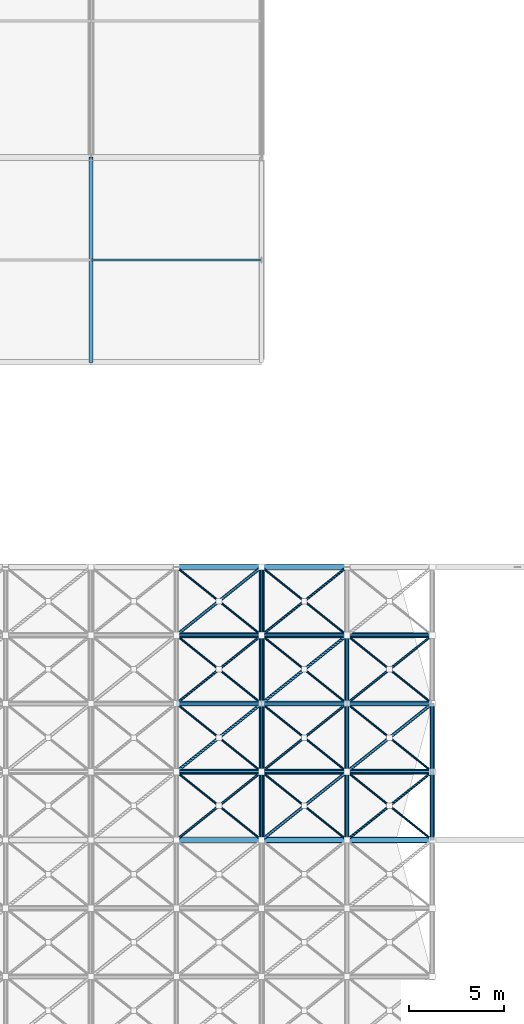
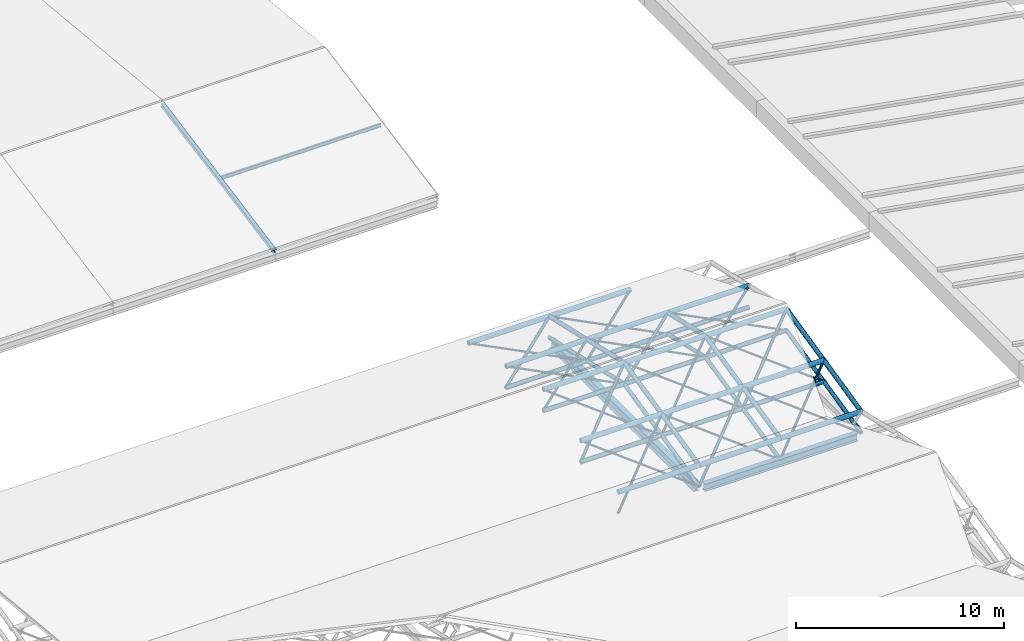
# One storey, part 29 of 110: 76 members, 2 beams.
"""IFC4 building model written with IfcOpenShell, lengths in metres."""

from ifc_helpers import new_model, si_unit, direction, frame, origin, origin_2d, place, context, subcontext, project, spatial, hollow_circle, i_section, extrude, material, material_profile, profile_set, type_object, element, save


model = new_model("IFC4")

# Units and contexts
model_context = context("Model", 3, precision=1e-05, world=origin(), true_north=direction((0.0, 1.0)))
body_context = subcontext(model_context, "Body", "Model", "MODEL_VIEW")
ifc_project = project(units=[si_unit("LENGTHUNIT", "METRE"), si_unit("AREAUNIT", "SQUARE_METRE"), si_unit("VOLUMEUNIT", "CUBIC_METRE"), si_unit("PLANEANGLEUNIT", "RADIAN"), si_unit("MASSUNIT", "GRAM", prefix="KILO")], contexts=[model_context])

# Site, building, storey
site_placement = place(None, origin())
site = spatial("IfcSite", under=ifc_project, at=site_placement, CompositionType="ELEMENT")
building_placement = place(site_placement, origin())
building = spatial("IfcBuilding", under=site, at=building_placement, Name="Tamarisk Ironworks Central Station", CompositionType="ELEMENT")
storey_placement = place(building_placement, frame((0.0, 0.0, 17.39990234375)))
storey = spatial("IfcBuildingStorey", under=building, at=storey_placement, Name="L03", CompositionType="ELEMENT", Elevation=17.39990234375)

# Beams
ifc_material_1 = material(Name="Structural steel S355J2", Category="steel")
ifc_material_profile_1 = material_profile(ifc_material_1, i_section(OverallWidth=0.300048828125, OverallDepth=0.5400390625, WebThickness=0.012451171875, FlangeThickness=0.02392578125, at=origin_2d()), Name="HEA 550")
ifc_profile_set_1 = profile_set([ifc_material_profile_1], Name="Structural steel S355J2")
beam_type_1 = type_object("IfcBeamType", Name="BM-G04", PredefinedType="BEAM", material=ifc_profile_set_1)
beam_1_placement = place(storey_placement, frame((36.0, 65.0419921875, -1.869873046875), z_axis=(0.0, 1.0, 0.0), x_axis=(-1.0, 0.0, 0.0)))
element("IfcBeam", 1, at=beam_1_placement, inside=storey, type_object=beam_type_1, Name="L03 primary girder Y-0601", PredefinedType="BEAM", context=body_context, shape_type="SweptSolid", body=[
    extrude(i_section(OverallWidth=0.300048828125, OverallDepth=0.5400390625, WebThickness=0.012451171875, FlangeThickness=0.02392578125, at=origin_2d()), origin(), (0.0, 0.0, 1.0), 13.916015625),
])
ifc_material_profile_2 = material_profile(ifc_material_1, i_section(OverallWidth=0.300048828125, OverallDepth=0.43994140625, WebThickness=0.011474609375, FlangeThickness=0.02099609375, at=origin_2d()), Name="HEA 450")
ifc_profile_set_2 = profile_set([ifc_material_profile_2], Name="Structural steel S355J2")
beam_type_2 = type_object("IfcBeamType", Name="BM-G06", PredefinedType="BEAM", material=ifc_profile_set_2)
beam_2_placement = place(storey_placement, frame((36.241943359375, 64.800048828125, -1.81982421875), z_axis=(1.0, 0.0, 0.0), x_axis=(0.0, 1.0, 0.0)))
element("IfcBeam", 2, at=beam_2_placement, inside=storey, type_object=beam_type_2, Name="L03 primary girder X-0571", PredefinedType="BEAM", context=body_context, shape_type="SweptSolid", body=[
    extrude(i_section(OverallWidth=0.300048828125, OverallDepth=0.43994140625, WebThickness=0.011474609375, FlangeThickness=0.02099609375, at=origin_2d()), origin(), (0.0, 0.0, 1.0), 8.52001953125),
])

# Members
ifc_material_profile_3 = material_profile(ifc_material_1, i_section(OverallWidth=0.10009765625, OverallDepth=0.199951171875, WebThickness=0.005615234375, FlangeThickness=0.008544921875, at=origin_2d()), Name="IPE 200")
ifc_profile_set_3 = profile_set([ifc_material_profile_3], Name="Structural steel S355J2")
member_type_1 = type_object("IfcMemberType", Name="MB-PR03", PredefinedType="PURLIN", material=ifc_profile_set_3)
member_1_placement = place(storey_placement, frame((27.0, 95.39990234375, 0.945068359375), z_axis=(1.0, 0.0, 0.0), x_axis=(0.0, 1.0, 0.0)))
element("IfcMember", 3, at=member_1_placement, inside=storey, type_object=member_type_1, Name="Pavilion roof purlin 29", PredefinedType="PURLIN", context=body_context, shape_type="SweptSolid", body=[
    extrude(i_section(OverallWidth=0.10009765625, OverallDepth=0.199951171875, WebThickness=0.005615234375, FlangeThickness=0.008544921875, at=origin_2d()), origin(), (0.0, 0.0, 1.0), 9.0),
])
ifc_material_profile_4 = material_profile(ifc_material_1, i_section(OverallWidth=0.199951171875, OverallDepth=0.199951171875, WebThickness=0.009033203125, FlangeThickness=0.014892578125, at=origin_2d()), Name="HEB 200")
ifc_profile_set_4 = profile_set([ifc_material_profile_4], Name="Structural steel S355J2")
member_type_2 = type_object("IfcMemberType", Name="MB-RF02", PredefinedType="RAFTER", material=ifc_profile_set_4)
member_2_placement = place(storey_placement, frame((27.0, 90.0, -0.059814453125), z_axis=(0.0, 0.981957490531, 0.189101789494), x_axis=(-1.0, 0.0, 0.0)))
element("IfcMember", 4, at=member_2_placement, inside=storey, type_object=member_type_2, Name="Pavilion pitched roof steel rafter 10", PredefinedType="RAFTER", context=body_context, shape_type="SweptSolid", body=[
    extrude(i_section(OverallWidth=0.199951171875, OverallDepth=0.199951171875, WebThickness=0.009033203125, FlangeThickness=0.014892578125, at=origin_2d()), origin(), (0.0, 0.0, 1.0), 10.99853515625),
])
ifc_material_2 = material(Name="Structural steel S355J2H", Category="steel")
ifc_material_profile_5 = material_profile(ifc_material_2, hollow_circle(Radius=0.136474609375, WallThickness=0.012451171875, at=origin_2d()), Name="CHS 273x12.5")
ifc_profile_set_5 = profile_set([ifc_material_profile_5], Name="Structural steel S355J2H")
member_type_3 = type_object("IfcMemberType", Name="MB-SFC01", PredefinedType="CHORD", material=ifc_profile_set_5)
for number, where, z_axis, x_axis, name in (
    (5, (31.5, 64.800048828125, -0.469970703125), (1.0, 0.0, 0.0), (0.0, 1.0, 0.0), "Train shed space-frame top chord 0598"),
    (6, (36.0, 64.800048828125, -0.469970703125), (1.0, 0.0, 0.0), (0.0, 1.0, 0.0), "Train shed space-frame top chord 0599"),
    (7, (40.5, 64.800048828125, -0.469970703125), (1.0, 0.0, 0.0), (0.0, 1.0, 0.0), "Train shed space-frame top chord 0600"),
    (8, (31.5, 68.39990234375, 0.35498046875), (1.0, 0.0, 0.0), (0.0, 1.0, 0.0), "Train shed space-frame top chord 0806"),
    (9, (36.0, 68.39990234375, 0.35498046875), (1.0, 0.0, 0.0), (0.0, 1.0, 0.0), "Train shed space-frame top chord 0807"),
    (10, (40.5, 68.39990234375, 0.35498046875), (1.0, 0.0, 0.0), (0.0, 1.0, 0.0), "Train shed space-frame top chord 0808"),
    (11, (31.5, 72.0, 1.18017578125), (1.0, 0.0, 0.0), (0.0, 1.0, 0.0), "Train shed space-frame top chord 0816"),
    (12, (36.0, 72.0, 1.18017578125), (1.0, 0.0, 0.0), (0.0, 1.0, 0.0), "Train shed space-frame top chord 0817"),
    (13, (40.5, 72.0, 1.18017578125), (1.0, 0.0, 0.0), (0.0, 1.0, 0.0), "Train shed space-frame top chord 0818"),
    (14, (31.5, 75.60009765625, 0.35498046875), (1.0, 0.0, 0.0), (0.0, 1.0, 0.0), "Train shed space-frame top chord 0826"),
    (15, (36.0, 75.60009765625, 0.35498046875), (1.0, 0.0, 0.0), (0.0, 1.0, 0.0), "Train shed space-frame top chord 0827"),
    (16, (40.5, 75.60009765625, 0.35498046875), (1.0, 0.0, 0.0), (0.0, 1.0, 0.0), "Train shed space-frame top chord 0828"),
    (17, (31.5, 79.199951171875, -0.469970703125), (1.0, 0.0, 0.0), (0.0, 1.0, 0.0), "Train shed space-frame top chord 0836"),
    (18, (36.0, 79.199951171875, -0.469970703125), (1.0, 0.0, 0.0), (0.0, 1.0, 0.0), "Train shed space-frame top chord 0837"),
):
    element("IfcMember", number, at=place(storey_placement, frame(where, z_axis=z_axis, x_axis=x_axis)), inside=storey, type_object=member_type_3, Name=name, PredefinedType="CHORD", context=body_context, shape_type="SweptSolid", body=[
        extrude(hollow_circle(Radius=0.136474609375, WallThickness=0.012451171875, at=origin_2d()), origin(), (0.0, 0.0, 1.0), 4.5),
    ])
ifc_material_profile_6 = material_profile(ifc_material_2, hollow_circle(Radius=0.122314453125, WallThickness=0.012451171875, at=origin_2d()), Name="CHS 244.5x12.5")
ifc_profile_set_6 = profile_set([ifc_material_profile_6], Name="Structural steel S355J2H")
member_type_4 = type_object("IfcMemberType", Name="MB-SFC02", PredefinedType="CHORD", material=ifc_profile_set_6)
for number, where, z_axis, x_axis, name in (
    (19, (31.5, 68.39990234375, -0.89501953125), (1.0, 0.0, 0.0), (0.0, 1.0, 0.0), "Train shed space-frame bottom chord 0732"),
    (20, (36.0, 68.39990234375, -0.89501953125), (1.0, 0.0, 0.0), (0.0, 1.0, 0.0), "Train shed space-frame bottom chord 0733"),
    (21, (40.5, 68.39990234375, -0.89501953125), (1.0, 0.0, 0.0), (0.0, 1.0, 0.0), "Train shed space-frame bottom chord 0734"),
    (22, (31.5, 72.0, -0.06982421875), (1.0, 0.0, 0.0), (0.0, 1.0, 0.0), "Train shed space-frame bottom chord 0742"),
    (23, (36.0, 72.0, -0.06982421875), (1.0, 0.0, 0.0), (0.0, 1.0, 0.0), "Train shed space-frame bottom chord 0743"),
    (24, (40.5, 72.0, -0.06982421875), (1.0, 0.0, 0.0), (0.0, 1.0, 0.0), "Train shed space-frame bottom chord 0744"),
    (25, (31.5, 75.60009765625, -0.89501953125), (1.0, 0.0, 0.0), (0.0, 1.0, 0.0), "Train shed space-frame bottom chord 0752"),
    (26, (36.0, 75.60009765625, -0.89501953125), (1.0, 0.0, 0.0), (0.0, 1.0, 0.0), "Train shed space-frame bottom chord 0753"),
    (27, (40.5, 75.60009765625, -0.89501953125), (1.0, 0.0, 0.0), (0.0, 1.0, 0.0), "Train shed space-frame bottom chord 0754"),
):
    element("IfcMember", number, at=place(storey_placement, frame(where, z_axis=z_axis, x_axis=x_axis)), inside=storey, type_object=member_type_4, Name=name, PredefinedType="CHORD", context=body_context, shape_type="SweptSolid", body=[
        extrude(hollow_circle(Radius=0.122314453125, WallThickness=0.012451171875, at=origin_2d()), origin(), (0.0, 0.0, 1.0), 4.5),
    ])
member_3_placement = place(storey_placement, frame((36.0, 64.800048828125, -0.469970703125), z_axis=(0.0, 0.974733218107, 0.223372230857), x_axis=(-1.0, 0.0, 0.0)))
element("IfcMember", 28, at=member_3_placement, inside=storey, type_object=member_type_4, Name="Train shed space-frame top transverse chord 0871", PredefinedType="CHORD", context=body_context, shape_type="SweptSolid", body=[
    extrude(hollow_circle(Radius=0.122314453125, WallThickness=0.012451171875, at=origin_2d()), origin(), (0.0, 0.0, 1.0), 3.693115234375),
])
for number, where, z_axis, x_axis, name in (
    (29, (36.0, 68.39990234375, 0.35498046875), (0.0, 0.974722123001, 0.223420641241), (-1.0, 0.0, 0.0), "Train shed space-frame top transverse chord 0872"),
    (30, (36.0, 72.0, 1.18017578125), (0.0, 0.974722123001, -0.223420641241), (-1.0, 0.0, 0.0), "Train shed space-frame top transverse chord 0873"),
):
    element("IfcMember", number, at=place(storey_placement, frame(where, z_axis=z_axis, x_axis=x_axis)), inside=storey, type_object=member_type_4, Name=name, PredefinedType="CHORD", context=body_context, shape_type="SweptSolid", body=[
        extrude(hollow_circle(Radius=0.122314453125, WallThickness=0.012451171875, at=origin_2d()), origin(), (0.0, 0.0, 1.0), 3.693359375),
    ])
for number, where, z_axis, x_axis, name in (
    (31, (36.0, 75.60009765625, 0.35498046875), (0.0, 0.974733218107, -0.223372230857), (-1.0, 0.0, 0.0), "Train shed space-frame top transverse chord 0874"),
    (32, (40.5, 64.800048828125, -0.469970703125), (0.0, 0.974733218107, 0.223372230857), (-1.0, 0.0, 0.0), "Train shed space-frame top transverse chord 0875"),
):
    element("IfcMember", number, at=place(storey_placement, frame(where, z_axis=z_axis, x_axis=x_axis)), inside=storey, type_object=member_type_4, Name=name, PredefinedType="CHORD", context=body_context, shape_type="SweptSolid", body=[
        extrude(hollow_circle(Radius=0.122314453125, WallThickness=0.012451171875, at=origin_2d()), origin(), (0.0, 0.0, 1.0), 3.693115234375),
    ])
for number, where, z_axis, x_axis, name in (
    (33, (40.5, 68.39990234375, 0.35498046875), (0.0, 0.974722123001, 0.223420641241), (-1.0, 0.0, 0.0), "Train shed space-frame top transverse chord 0876"),
    (34, (40.5, 72.0, 1.18017578125), (0.0, 0.974722123001, -0.223420641241), (-1.0, 0.0, 0.0), "Train shed space-frame top transverse chord 0877"),
):
    element("IfcMember", number, at=place(storey_placement, frame(where, z_axis=z_axis, x_axis=x_axis)), inside=storey, type_object=member_type_4, Name=name, PredefinedType="CHORD", context=body_context, shape_type="SweptSolid", body=[
        extrude(hollow_circle(Radius=0.122314453125, WallThickness=0.012451171875, at=origin_2d()), origin(), (0.0, 0.0, 1.0), 3.693359375),
    ])
member_4_placement = place(storey_placement, frame((45.0, 64.800048828125, -0.469970703125), z_axis=(0.0, 0.974733218107, 0.223372230857), x_axis=(-1.0, 0.0, 0.0)))
element("IfcMember", 35, at=member_4_placement, inside=storey, type_object=member_type_4, Name="Train shed space-frame top transverse chord 0879", PredefinedType="CHORD", context=body_context, shape_type="SweptSolid", body=[
    extrude(hollow_circle(Radius=0.122314453125, WallThickness=0.012451171875, at=origin_2d()), origin(), (0.0, 0.0, 1.0), 3.693115234375),
])
member_5_placement = place(storey_placement, frame((45.0, 68.39990234375, 0.35498046875), z_axis=(0.0, 0.974722123001, 0.223420641241), x_axis=(-1.0, 0.0, 0.0)))
element("IfcMember", 36, at=member_5_placement, inside=storey, type_object=member_type_4, Name="Train shed space-frame top transverse chord 0880", PredefinedType="CHORD", context=body_context, shape_type="SweptSolid", body=[
    extrude(hollow_circle(Radius=0.122314453125, WallThickness=0.012451171875, at=origin_2d()), origin(), (0.0, 0.0, 1.0), 3.693359375),
])
ifc_material_profile_7 = material_profile(ifc_material_2, hollow_circle(Radius=0.109619140625, WallThickness=0.010009765625, at=origin_2d()), Name="CHS 219.1x10")
ifc_profile_set_7 = profile_set([ifc_material_profile_7], Name="Structural steel S355J2H")
member_type_5 = type_object("IfcMemberType", Name="MB-SFC03", PredefinedType="CHORD", material=ifc_profile_set_7)
member_6_placement = place(storey_placement, frame((36.0, 64.800048828125, -1.719970703125), z_axis=(0.0, 0.974733218107, 0.223372230857), x_axis=(-1.0, 0.0, 0.0)))
element("IfcMember", 37, at=member_6_placement, inside=storey, type_object=member_type_5, Name="Train shed space-frame transverse chord 0787", PredefinedType="CHORD", context=body_context, shape_type="SweptSolid", body=[
    extrude(hollow_circle(Radius=0.109619140625, WallThickness=0.010009765625, at=origin_2d()), origin(), (0.0, 0.0, 1.0), 3.693115234375),
])
for number, where, z_axis, x_axis, name in (
    (38, (36.0, 68.39990234375, -0.89501953125), (0.0, 0.974722123001, 0.223420641241), (-1.0, 0.0, 0.0), "Train shed space-frame transverse chord 0788"),
    (39, (36.0, 72.0, -0.06982421875), (0.0, 0.974722123001, -0.223420641241), (-1.0, 0.0, 0.0), "Train shed space-frame transverse chord 0789"),
):
    element("IfcMember", number, at=place(storey_placement, frame(where, z_axis=z_axis, x_axis=x_axis)), inside=storey, type_object=member_type_5, Name=name, PredefinedType="CHORD", context=body_context, shape_type="SweptSolid", body=[
        extrude(hollow_circle(Radius=0.109619140625, WallThickness=0.010009765625, at=origin_2d()), origin(), (0.0, 0.0, 1.0), 3.693359375),
    ])
for number, where, z_axis, x_axis, name in (
    (40, (36.0, 75.60009765625, -0.89501953125), (0.0, 0.974733218107, -0.223372230857), (-1.0, 0.0, 0.0), "Train shed space-frame transverse chord 0790"),
    (41, (40.5, 64.800048828125, -1.719970703125), (0.0, 0.974733218107, 0.223372230857), (-1.0, 0.0, 0.0), "Train shed space-frame transverse chord 0791"),
):
    element("IfcMember", number, at=place(storey_placement, frame(where, z_axis=z_axis, x_axis=x_axis)), inside=storey, type_object=member_type_5, Name=name, PredefinedType="CHORD", context=body_context, shape_type="SweptSolid", body=[
        extrude(hollow_circle(Radius=0.109619140625, WallThickness=0.010009765625, at=origin_2d()), origin(), (0.0, 0.0, 1.0), 3.693115234375),
    ])
for number, where, z_axis, x_axis, name in (
    (42, (40.5, 68.39990234375, -0.89501953125), (0.0, 0.974722123001, 0.223420641241), (-1.0, 0.0, 0.0), "Train shed space-frame transverse chord 0792"),
    (43, (40.5, 72.0, -0.06982421875), (0.0, 0.974722123001, -0.223420641241), (-1.0, 0.0, 0.0), "Train shed space-frame transverse chord 0793"),
):
    element("IfcMember", number, at=place(storey_placement, frame(where, z_axis=z_axis, x_axis=x_axis)), inside=storey, type_object=member_type_5, Name=name, PredefinedType="CHORD", context=body_context, shape_type="SweptSolid", body=[
        extrude(hollow_circle(Radius=0.109619140625, WallThickness=0.010009765625, at=origin_2d()), origin(), (0.0, 0.0, 1.0), 3.693359375),
    ])
member_7_placement = place(storey_placement, frame((45.0, 64.800048828125, -1.719970703125), z_axis=(0.0, 0.974733218107, 0.223372230857), x_axis=(-1.0, 0.0, 0.0)))
element("IfcMember", 44, at=member_7_placement, inside=storey, type_object=member_type_5, Name="Train shed space-frame transverse chord 0795", PredefinedType="CHORD", context=body_context, shape_type="SweptSolid", body=[
    extrude(hollow_circle(Radius=0.109619140625, WallThickness=0.010009765625, at=origin_2d()), origin(), (0.0, 0.0, 1.0), 3.693115234375),
])
member_8_placement = place(storey_placement, frame((45.0, 68.39990234375, -0.89501953125), z_axis=(0.0, 0.974722123001, 0.223420641241), x_axis=(-1.0, 0.0, 0.0)))
element("IfcMember", 45, at=member_8_placement, inside=storey, type_object=member_type_5, Name="Train shed space-frame transverse chord 0796", PredefinedType="CHORD", context=body_context, shape_type="SweptSolid", body=[
    extrude(hollow_circle(Radius=0.109619140625, WallThickness=0.010009765625, at=origin_2d()), origin(), (0.0, 0.0, 1.0), 3.693359375),
])
ifc_material_profile_8 = material_profile(ifc_material_2, hollow_circle(Radius=0.084228515625, WallThickness=0.010009765625, at=origin_2d()), Name="CHS 168.3x10")
ifc_profile_set_8 = profile_set([ifc_material_profile_8], Name="Structural steel S355J2H")
member_type_6 = type_object("IfcMemberType", Name="MB-SFD01", PredefinedType="BRACE", material=ifc_profile_set_8)
member_9_placement = place(storey_placement, frame((31.5, 68.39990234375, -0.89501953125), z_axis=(0.734679055902, 0.587759188278, 0.338800562889), x_axis=(-0.624705380279, 0.780860543151, 0.0)))
element("IfcMember", 46, at=member_9_placement, inside=storey, type_object=member_type_6, Name="Train shed space-frame diagonal 0941", PredefinedType="BRACE", context=body_context, shape_type="SweptSolid", body=[
    extrude(hollow_circle(Radius=0.084228515625, WallThickness=0.010009765625, at=origin_2d()), origin(), (0.0, 0.0, 1.0), 6.125244140625),
])
member_10_placement = place(storey_placement, frame((31.5, 75.60009765625, -0.89501953125), z_axis=(0.778765724077, 0.622987228815, 0.073558546312), x_axis=(-0.624679547852, 0.780881208953, 0.0)))
element("IfcMember", 47, at=member_10_placement, inside=storey, type_object=member_type_6, Name="Train shed space-frame diagonal 0945", PredefinedType="BRACE", context=body_context, shape_type="SweptSolid", body=[
    extrude(hollow_circle(Radius=0.084228515625, WallThickness=0.010009765625, at=origin_2d()), origin(), (0.0, 0.0, 1.0), 5.7783203125),
])
member_11_placement = place(storey_placement, frame((36.0, 64.800048828125, -1.719970703125), z_axis=(0.734706189143, 0.587741035097, 0.338773215143), x_axis=(-0.624679547852, 0.780881208953, 0.0)))
element("IfcMember", 48, at=member_11_placement, inside=storey, type_object=member_type_6, Name="Train shed space-frame diagonal 0947", PredefinedType="BRACE", context=body_context, shape_type="SweptSolid", body=[
    extrude(hollow_circle(Radius=0.084228515625, WallThickness=0.010009765625, at=origin_2d()), origin(), (0.0, 0.0, 1.0), 6.125),
])
member_12_placement = place(storey_placement, frame((36.0, 72.0, -0.06982421875), z_axis=(0.778747645228, 0.623015016088, 0.073514588905), x_axis=(-0.624705380279, 0.780860543151, 0.0)))
element("IfcMember", 49, at=member_12_placement, inside=storey, type_object=member_type_6, Name="Train shed space-frame diagonal 0951", PredefinedType="BRACE", context=body_context, shape_type="SweptSolid", body=[
    extrude(hollow_circle(Radius=0.084228515625, WallThickness=0.010009765625, at=origin_2d()), origin(), (0.0, 0.0, 1.0), 5.778564453125),
])
member_13_placement = place(storey_placement, frame((40.5, 68.39990234375, -0.89501953125), z_axis=(0.734679055902, 0.587759188278, 0.338800562889), x_axis=(-0.624705380279, 0.780860543151, 0.0)))
element("IfcMember", 50, at=member_13_placement, inside=storey, type_object=member_type_6, Name="Train shed space-frame diagonal 0957", PredefinedType="BRACE", context=body_context, shape_type="SweptSolid", body=[
    extrude(hollow_circle(Radius=0.084228515625, WallThickness=0.010009765625, at=origin_2d()), origin(), (0.0, 0.0, 1.0), 6.125244140625),
])
ifc_material_profile_9 = material_profile(ifc_material_2, hollow_circle(Radius=0.06982421875, WallThickness=0.008056640625, at=origin_2d()), Name="CHS 139.7x8")
ifc_profile_set_9 = profile_set([ifc_material_profile_9], Name="Structural steel S355J2H")
member_type_7 = type_object("IfcMemberType", Name="MB-SFD02", PredefinedType="BRACE", material=ifc_profile_set_9)
member_14_placement = place(storey_placement, frame((31.5, 64.800048828125, -1.719970703125), z_axis=(0.734706189143, 0.587741035097, 0.338773215143), x_axis=(-0.624679547852, 0.780881208953, 0.0)))
element("IfcMember", 51, at=member_14_placement, inside=storey, type_object=member_type_7, Name="Train shed space-frame diagonal 0939", PredefinedType="BRACE", context=body_context, shape_type="SweptSolid", body=[
    extrude(hollow_circle(Radius=0.06982421875, WallThickness=0.008056640625, at=origin_2d()), origin(), (0.0, 0.0, 1.0), 6.125),
])
member_15_placement = place(storey_placement, frame((31.5, 72.0, -0.06982421875), z_axis=(0.778747645228, 0.623015016088, 0.073514588905), x_axis=(-0.624705380279, 0.780860543151, 0.0)))
element("IfcMember", 52, at=member_15_placement, inside=storey, type_object=member_type_7, Name="Train shed space-frame diagonal 0943", PredefinedType="BRACE", context=body_context, shape_type="SweptSolid", body=[
    extrude(hollow_circle(Radius=0.06982421875, WallThickness=0.008056640625, at=origin_2d()), origin(), (0.0, 0.0, 1.0), 5.778564453125),
])
member_16_placement = place(storey_placement, frame((36.0, 68.39990234375, -0.89501953125), z_axis=(0.734679055902, 0.587759188278, 0.338800562889), x_axis=(-0.624705380279, 0.780860543151, 0.0)))
element("IfcMember", 53, at=member_16_placement, inside=storey, type_object=member_type_7, Name="Train shed space-frame diagonal 0949", PredefinedType="BRACE", context=body_context, shape_type="SweptSolid", body=[
    extrude(hollow_circle(Radius=0.06982421875, WallThickness=0.008056640625, at=origin_2d()), origin(), (0.0, 0.0, 1.0), 6.125244140625),
])
member_17_placement = place(storey_placement, frame((36.0, 75.60009765625, -0.89501953125), z_axis=(0.778765724077, 0.622987228815, 0.073558546312), x_axis=(-0.624679547852, 0.780881208953, 0.0)))
element("IfcMember", 54, at=member_17_placement, inside=storey, type_object=member_type_7, Name="Train shed space-frame diagonal 0953", PredefinedType="BRACE", context=body_context, shape_type="SweptSolid", body=[
    extrude(hollow_circle(Radius=0.06982421875, WallThickness=0.008056640625, at=origin_2d()), origin(), (0.0, 0.0, 1.0), 5.7783203125),
])
member_18_placement = place(storey_placement, frame((40.5, 64.800048828125, -1.719970703125), z_axis=(0.734706189143, 0.587741035097, 0.338773215143), x_axis=(-0.624679547852, 0.780881208953, 0.0)))
element("IfcMember", 55, at=member_18_placement, inside=storey, type_object=member_type_7, Name="Train shed space-frame diagonal 0955", PredefinedType="BRACE", context=body_context, shape_type="SweptSolid", body=[
    extrude(hollow_circle(Radius=0.06982421875, WallThickness=0.008056640625, at=origin_2d()), origin(), (0.0, 0.0, 1.0), 6.125),
])
member_19_placement = place(storey_placement, frame((40.5, 72.0, -0.06982421875), z_axis=(0.778747645228, 0.623015016088, 0.073514588905), x_axis=(-0.624705380279, 0.780860543151, 0.0)))
element("IfcMember", 56, at=member_19_placement, inside=storey, type_object=member_type_7, Name="Train shed space-frame diagonal 0959", PredefinedType="BRACE", context=body_context, shape_type="SweptSolid", body=[
    extrude(hollow_circle(Radius=0.06982421875, WallThickness=0.008056640625, at=origin_2d()), origin(), (0.0, 0.0, 1.0), 5.778564453125),
])
ifc_material_profile_10 = material_profile(ifc_material_2, hollow_circle(Radius=0.05712890625, WallThickness=0.00634765625, at=origin_2d()), Name="CHS 114.3x6.3")
ifc_profile_set_10 = profile_set([ifc_material_profile_10], Name="Structural steel S355J2H")
member_type_8 = type_object("IfcMemberType", Name="MB-SFD03", PredefinedType="BRACE", material=ifc_profile_set_10)
for number, where, z_axis, x_axis, name in (
    (57, (36.0, 64.800048828125, -1.719970703125), (-0.734712152648, 0.587704782363, 0.33882317149), (-0.624652959802, -0.780902477785, 0.0), "Train shed space-frame split counter-diagonal lower 0940"),
    (58, (33.709716796875, 66.63232421875, -0.663818359375), (-0.734732358486, 0.587720945248, 0.338751312779), (-0.624652959802, -0.780902477785, 0.0), "Train shed space-frame split counter-diagonal upper 0940"),
):
    element("IfcMember", number, at=place(storey_placement, frame(where, z_axis=z_axis, x_axis=x_axis)), inside=storey, type_object=member_type_8, Name=name, PredefinedType="BRACE", context=body_context, shape_type="SweptSolid", body=[
        extrude(hollow_circle(Radius=0.05712890625, WallThickness=0.00634765625, at=origin_2d()), origin(), (0.0, 0.0, 1.0), 3.007568359375),
    ])
member_20_placement = place(storey_placement, frame((36.0, 68.39990234375, -0.89501953125), z_axis=(-0.734677102003, 0.587757915766, 0.338807007376), x_axis=(-0.624705568642, -0.780860392457, 0.0)))
element("IfcMember", 59, at=member_20_placement, inside=storey, type_object=member_type_8, Name="Train shed space-frame split counter-diagonal lower 0942", PredefinedType="BRACE", context=body_context, shape_type="SweptSolid", body=[
    extrude(hollow_circle(Radius=0.05712890625, WallThickness=0.00634765625, at=origin_2d()), origin(), (0.0, 0.0, 1.0), 3.0078125),
])
member_21_placement = place(storey_placement, frame((33.709716796875, 70.232421875, 0.1611328125), z_axis=(-0.734712152648, 0.587704782363, 0.33882317149), x_axis=(-0.624652959802, -0.780902477785, 0.0)))
element("IfcMember", 60, at=member_21_placement, inside=storey, type_object=member_type_8, Name="Train shed space-frame split counter-diagonal upper 0942", PredefinedType="BRACE", context=body_context, shape_type="SweptSolid", body=[
    extrude(hollow_circle(Radius=0.05712890625, WallThickness=0.00634765625, at=origin_2d()), origin(), (0.0, 0.0, 1.0), 3.007568359375),
])
member_22_placement = place(storey_placement, frame((36.0, 72.0, -0.06982421875), z_axis=(-0.778786711003, 0.622960457248, 0.073563084968), x_axis=(-0.624652913247, -0.780902515025, 0.0)))
element("IfcMember", 61, at=member_22_placement, inside=storey, type_object=member_type_8, Name="Train shed space-frame split counter-diagonal lower 0944", PredefinedType="BRACE", context=body_context, shape_type="SweptSolid", body=[
    extrude(hollow_circle(Radius=0.05712890625, WallThickness=0.00634765625, at=origin_2d()), origin(), (0.0, 0.0, 1.0), 2.834228515625),
])
member_23_placement = place(storey_placement, frame((33.707275390625, 73.834228515625, 0.146484375), z_axis=(-0.778744920641, 0.623013163477, 0.07355913751), x_axis=(-0.624705580279, -0.780860383147, 0.0)))
element("IfcMember", 62, at=member_23_placement, inside=storey, type_object=member_type_8, Name="Train shed space-frame split counter-diagonal upper 0944", PredefinedType="BRACE", context=body_context, shape_type="SweptSolid", body=[
    extrude(hollow_circle(Radius=0.05712890625, WallThickness=0.00634765625, at=origin_2d()), origin(), (0.0, 0.0, 1.0), 2.83447265625),
])
for number, where, z_axis, x_axis, name in (
    (63, (36.0, 75.60009765625, -0.89501953125), (-0.778786711003, 0.622960457248, 0.073563084968), (-0.624652913247, -0.780902515025, 0.0), "Train shed space-frame split counter-diagonal lower 0946"),
    (64, (33.707275390625, 77.434326171875, -0.678466796875), (-0.778786711003, 0.622960457248, 0.073563084968), (-0.624652913247, -0.780902515025, 0.0), "Train shed space-frame split counter-diagonal upper 0946"),
):
    element("IfcMember", number, at=place(storey_placement, frame(where, z_axis=z_axis, x_axis=x_axis)), inside=storey, type_object=member_type_8, Name=name, PredefinedType="BRACE", context=body_context, shape_type="SweptSolid", body=[
        extrude(hollow_circle(Radius=0.05712890625, WallThickness=0.00634765625, at=origin_2d()), origin(), (0.0, 0.0, 1.0), 2.834228515625),
    ])
for number, where, z_axis, x_axis, name in (
    (65, (40.5, 64.800048828125, -1.719970703125), (-0.734712152648, 0.587704782363, 0.33882317149), (-0.624652959802, -0.780902477785, 0.0), "Train shed space-frame split counter-diagonal lower 0948"),
    (66, (38.209716796875, 66.63232421875, -0.663818359375), (-0.734732358486, 0.587720945248, 0.338751312779), (-0.624652959802, -0.780902477785, 0.0), "Train shed space-frame split counter-diagonal upper 0948"),
):
    element("IfcMember", number, at=place(storey_placement, frame(where, z_axis=z_axis, x_axis=x_axis)), inside=storey, type_object=member_type_8, Name=name, PredefinedType="BRACE", context=body_context, shape_type="SweptSolid", body=[
        extrude(hollow_circle(Radius=0.05712890625, WallThickness=0.00634765625, at=origin_2d()), origin(), (0.0, 0.0, 1.0), 3.007568359375),
    ])
member_24_placement = place(storey_placement, frame((40.5, 68.39990234375, -0.89501953125), z_axis=(-0.734677102003, 0.587757915766, 0.338807007376), x_axis=(-0.624705568642, -0.780860392457, 0.0)))
element("IfcMember", 67, at=member_24_placement, inside=storey, type_object=member_type_8, Name="Train shed space-frame split counter-diagonal lower 0950", PredefinedType="BRACE", context=body_context, shape_type="SweptSolid", body=[
    extrude(hollow_circle(Radius=0.05712890625, WallThickness=0.00634765625, at=origin_2d()), origin(), (0.0, 0.0, 1.0), 3.0078125),
])
member_25_placement = place(storey_placement, frame((38.209716796875, 70.232421875, 0.1611328125), z_axis=(-0.734712152648, 0.587704782363, 0.33882317149), x_axis=(-0.624652959802, -0.780902477785, 0.0)))
element("IfcMember", 68, at=member_25_placement, inside=storey, type_object=member_type_8, Name="Train shed space-frame split counter-diagonal upper 0950", PredefinedType="BRACE", context=body_context, shape_type="SweptSolid", body=[
    extrude(hollow_circle(Radius=0.05712890625, WallThickness=0.00634765625, at=origin_2d()), origin(), (0.0, 0.0, 1.0), 3.007568359375),
])
member_26_placement = place(storey_placement, frame((40.5, 72.0, -0.06982421875), z_axis=(-0.778786711003, 0.622960457248, 0.073563084968), x_axis=(-0.624652913247, -0.780902515025, 0.0)))
element("IfcMember", 69, at=member_26_placement, inside=storey, type_object=member_type_8, Name="Train shed space-frame split counter-diagonal lower 0952", PredefinedType="BRACE", context=body_context, shape_type="SweptSolid", body=[
    extrude(hollow_circle(Radius=0.05712890625, WallThickness=0.00634765625, at=origin_2d()), origin(), (0.0, 0.0, 1.0), 2.834228515625),
])
member_27_placement = place(storey_placement, frame((38.207275390625, 73.834228515625, 0.146484375), z_axis=(-0.778744920641, 0.623013163477, 0.07355913751), x_axis=(-0.624705580279, -0.780860383147, 0.0)))
element("IfcMember", 70, at=member_27_placement, inside=storey, type_object=member_type_8, Name="Train shed space-frame split counter-diagonal upper 0952", PredefinedType="BRACE", context=body_context, shape_type="SweptSolid", body=[
    extrude(hollow_circle(Radius=0.05712890625, WallThickness=0.00634765625, at=origin_2d()), origin(), (0.0, 0.0, 1.0), 2.83447265625),
])
for number, where, z_axis, x_axis, name in (
    (71, (40.5, 75.60009765625, -0.89501953125), (-0.778786711003, 0.622960457248, 0.073563084968), (-0.624652913247, -0.780902515025, 0.0), "Train shed space-frame split counter-diagonal lower 0954"),
    (72, (38.207275390625, 77.434326171875, -0.678466796875), (-0.778786711003, 0.622960457248, 0.073563084968), (-0.624652913247, -0.780902515025, 0.0), "Train shed space-frame split counter-diagonal upper 0954"),
):
    element("IfcMember", number, at=place(storey_placement, frame(where, z_axis=z_axis, x_axis=x_axis)), inside=storey, type_object=member_type_8, Name=name, PredefinedType="BRACE", context=body_context, shape_type="SweptSolid", body=[
        extrude(hollow_circle(Radius=0.05712890625, WallThickness=0.00634765625, at=origin_2d()), origin(), (0.0, 0.0, 1.0), 2.834228515625),
    ])
for number, where, z_axis, x_axis, name in (
    (73, (45.0, 64.800048828125, -1.719970703125), (-0.734712152648, 0.587704782363, 0.33882317149), (-0.624652959802, -0.780902477785, 0.0), "Train shed space-frame split counter-diagonal lower 0956"),
    (74, (42.709716796875, 66.63232421875, -0.663818359375), (-0.734732358486, 0.587720945248, 0.338751312779), (-0.624652959802, -0.780902477785, 0.0), "Train shed space-frame split counter-diagonal upper 0956"),
):
    element("IfcMember", number, at=place(storey_placement, frame(where, z_axis=z_axis, x_axis=x_axis)), inside=storey, type_object=member_type_8, Name=name, PredefinedType="BRACE", context=body_context, shape_type="SweptSolid", body=[
        extrude(hollow_circle(Radius=0.05712890625, WallThickness=0.00634765625, at=origin_2d()), origin(), (0.0, 0.0, 1.0), 3.007568359375),
    ])
member_28_placement = place(storey_placement, frame((45.0, 68.39990234375, -0.89501953125), z_axis=(-0.734677102003, 0.587757915766, 0.338807007376), x_axis=(-0.624705568642, -0.780860392457, 0.0)))
element("IfcMember", 75, at=member_28_placement, inside=storey, type_object=member_type_8, Name="Train shed space-frame split counter-diagonal lower 0958", PredefinedType="BRACE", context=body_context, shape_type="SweptSolid", body=[
    extrude(hollow_circle(Radius=0.05712890625, WallThickness=0.00634765625, at=origin_2d()), origin(), (0.0, 0.0, 1.0), 3.0078125),
])
member_29_placement = place(storey_placement, frame((42.709716796875, 70.232421875, 0.1611328125), z_axis=(-0.734712152648, 0.587704782363, 0.33882317149), x_axis=(-0.624652959802, -0.780902477785, 0.0)))
element("IfcMember", 76, at=member_29_placement, inside=storey, type_object=member_type_8, Name="Train shed space-frame split counter-diagonal upper 0958", PredefinedType="BRACE", context=body_context, shape_type="SweptSolid", body=[
    extrude(hollow_circle(Radius=0.05712890625, WallThickness=0.00634765625, at=origin_2d()), origin(), (0.0, 0.0, 1.0), 3.007568359375),
])
member_30_placement = place(storey_placement, frame((45.0, 72.0, -0.06982421875), z_axis=(-0.778786711003, 0.622960457248, 0.073563084968), x_axis=(-0.624652913247, -0.780902515025, 0.0)))
element("IfcMember", 77, at=member_30_placement, inside=storey, type_object=member_type_8, Name="Train shed space-frame split counter-diagonal lower 0960", PredefinedType="BRACE", context=body_context, shape_type="SweptSolid", body=[
    extrude(hollow_circle(Radius=0.05712890625, WallThickness=0.00634765625, at=origin_2d()), origin(), (0.0, 0.0, 1.0), 2.834228515625),
])
member_31_placement = place(storey_placement, frame((42.707275390625, 73.834228515625, 0.146484375), z_axis=(-0.778744920641, 0.623013163477, 0.07355913751), x_axis=(-0.624705580279, -0.780860383147, 0.0)))
element("IfcMember", 78, at=member_31_placement, inside=storey, type_object=member_type_8, Name="Train shed space-frame split counter-diagonal upper 0960", PredefinedType="BRACE", context=body_context, shape_type="SweptSolid", body=[
    extrude(hollow_circle(Radius=0.05712890625, WallThickness=0.00634765625, at=origin_2d()), origin(), (0.0, 0.0, 1.0), 2.83447265625),
])

save(model, "model.ifc")
